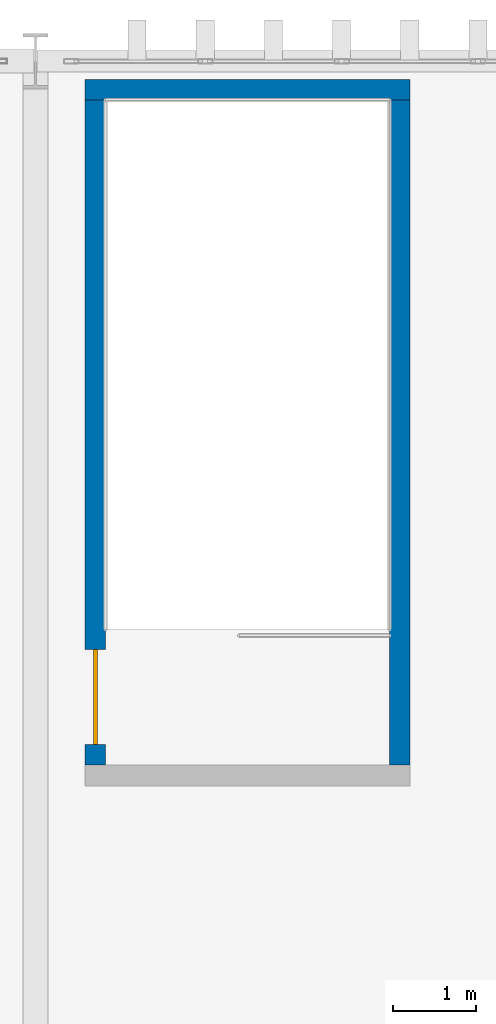
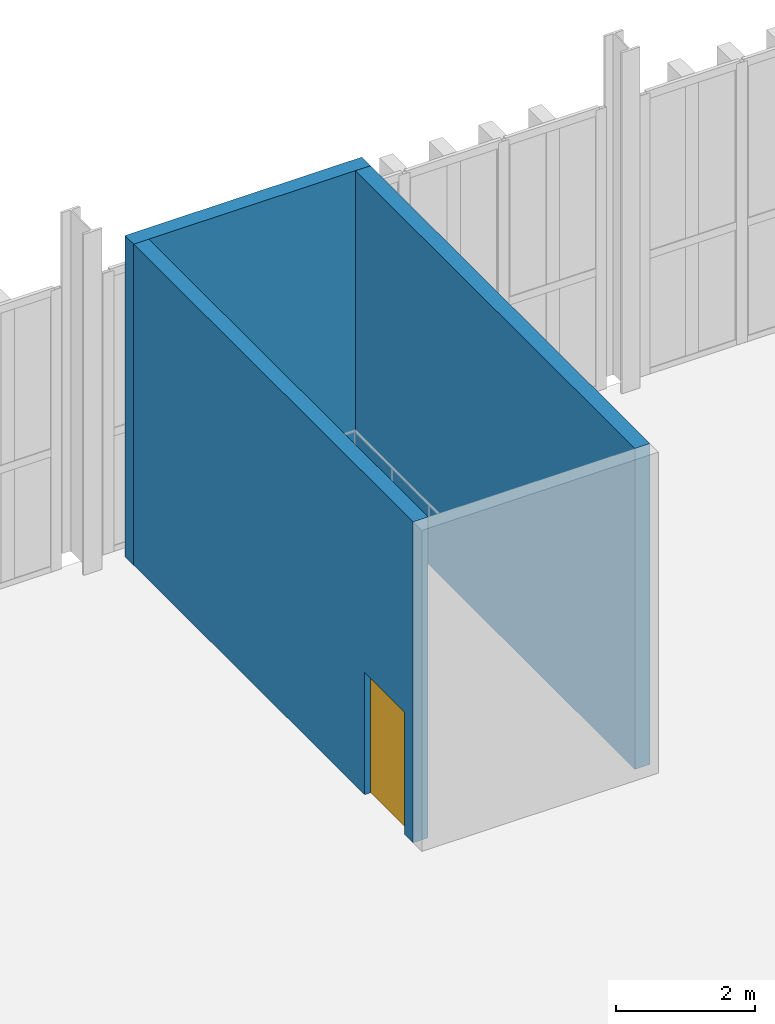
# One storey, part 183 of 211: 3 walls, 1 door, 1 opening.
"""IFC4 building model written with IfcOpenShell, lengths in metres."""

from ifc_helpers import new_model, si_unit, direction, frame, frame_2d, origin, place, context, subcontext, project, spatial, rectangle, extrude, material, layer, layer_set, type_object, element, fill, save


model = new_model("IFC4")

# Units and contexts
model_context = context("Model", 3, precision=1e-05, world=origin(), true_north=direction((0.0, 1.0)))
body_context = subcontext(model_context, "Body", "Model", "MODEL_VIEW")
ifc_project = project(units=[si_unit("LENGTHUNIT", "METRE"), si_unit("AREAUNIT", "SQUARE_METRE"), si_unit("VOLUMEUNIT", "CUBIC_METRE"), si_unit("PLANEANGLEUNIT", "RADIAN"), si_unit("MASSUNIT", "GRAM", prefix="KILO")], contexts=[model_context])

# Site, building, storey
site_placement = place(None, origin())
site = spatial("IfcSite", under=ifc_project, at=site_placement, CompositionType="ELEMENT")
building_placement = place(site_placement, origin())
building = spatial("IfcBuilding", under=site, at=building_placement, Name="Barlavento Convention Centre", CompositionType="ELEMENT")
storey_placement = place(building_placement, frame((0.0, 0.0, 6.0)))
storey = spatial("IfcBuildingStorey", under=building, at=storey_placement, Name="L01", CompositionType="ELEMENT", Elevation=6.0)

# Wall, opening, door
ifc_material_1 = material(Name="Concrete C50/60", Category="concrete")
ifc_layer = layer(ifc_material_1, 0.25)
ifc_layer_set = layer_set([ifc_layer], Name="STR-WL-CORE-250")
wall_type = type_object("IfcWallType", Name="STR-WL-CORE-250", PredefinedType="SHEAR", material=ifc_layer_set)
wall_1_placement = place(storey_placement, frame((63.72509765625, 126.469970703125, 0.0), z_axis=(0.0, 0.0, 1.0), x_axis=(0.0, 1.0, 0.0)))
wall_1 = element("IfcWall", 1, at=wall_1_placement, inside=storey, type_object=wall_type, Name="L01 interior wall CW-02", PredefinedType="SHEAR", context=body_context, shape_type="SweptSolid", body=[
    extrude(rectangle(XDim=8.06005859375, YDim=0.25, at=frame_2d((4.030029296875, 0.0))), origin(), (0.0, 0.0, 1.0), 5.64990234375),
])
opening_placement = place(wall_1_placement, frame((0.25, 0.0, 0.0)))
opening = element("IfcOpeningElement", 2, at=opening_placement, cuts=wall_1, Name="Opening FD-03", PredefinedType="OPENING", context=body_context, shape_type="SweptSolid", body=[
    extrude(rectangle(XDim=1.14990234375, YDim=2.14990234375, at=frame_2d((0.574951171875, 1.074951171875))), frame((0.0, 0.135009765625, 0.0), z_axis=(0.0, -1.0, 0.0), x_axis=(1.0, 0.0, 0.0)), (0.0, 0.0, 1.0), 0.27001953125),
])
ifc_material_2 = material(Name="Painted galvanized steel", Category="steel")
door_type = type_object("IfcDoorType", Name="ARC-DR-FIRE-1150X2150", OperationType="NOTDEFINED", PredefinedType="DOOR", material=ifc_material_2)
door_placement = place(opening_placement, origin())
door = element("IfcDoor", 3, at=door_placement, inside=storey, type_object=door_type, Name="DR-INT-L01-0178 L01 ST13 stair fire door FD-03", OperationType="SINGLE_SWING_RIGHT", OverallHeight=2.14990234375, OverallWidth=1.14990234375, PredefinedType="DOOR", context=body_context, shape_type="SweptSolid", body=[
    extrude(rectangle(XDim=1.14990234375, YDim=2.14990234375, at=frame_2d((0.574951171875, 1.074951171875))), frame((0.0, 0.02490234375, 0.0), z_axis=(0.0, -1.0, 0.0), x_axis=(1.0, 0.0, 0.0)), (0.0, 0.0, 1.0), 0.050048828125),
])
fill(opening, door)

# Walls
wall_2_placement = place(storey_placement, frame((67.4150390625, 126.469970703125, 0.0), z_axis=(0.0, 0.0, 1.0), x_axis=(0.0, 1.0, 0.0)))
element("IfcWall", 4, at=wall_2_placement, inside=storey, type_object=wall_type, Name="L01 interior wall CW-02", PredefinedType="SHEAR", context=body_context, shape_type="SweptSolid", body=[
    extrude(rectangle(XDim=8.06005859375, YDim=0.25, at=frame_2d((4.030029296875, 0.0))), origin(), (0.0, 0.0, 1.0), 5.64990234375),
])
wall_3_placement = place(storey_placement, frame((63.60009765625, 134.655029296875, 0.0), z_axis=(0.0, 0.0, 1.0), x_axis=(1.0, 0.0, 0.0)))
element("IfcWall", 5, at=wall_3_placement, inside=storey, type_object=wall_type, Name="L01 interior wall CW-02", PredefinedType="SHEAR", context=body_context, shape_type="SweptSolid", body=[
    extrude(rectangle(XDim=3.93994140625, YDim=0.25, at=frame_2d((1.969970703125, 0.0))), origin(), (0.0, 0.0, 1.0), 5.64990234375),
])

save(model, "model.ifc")
